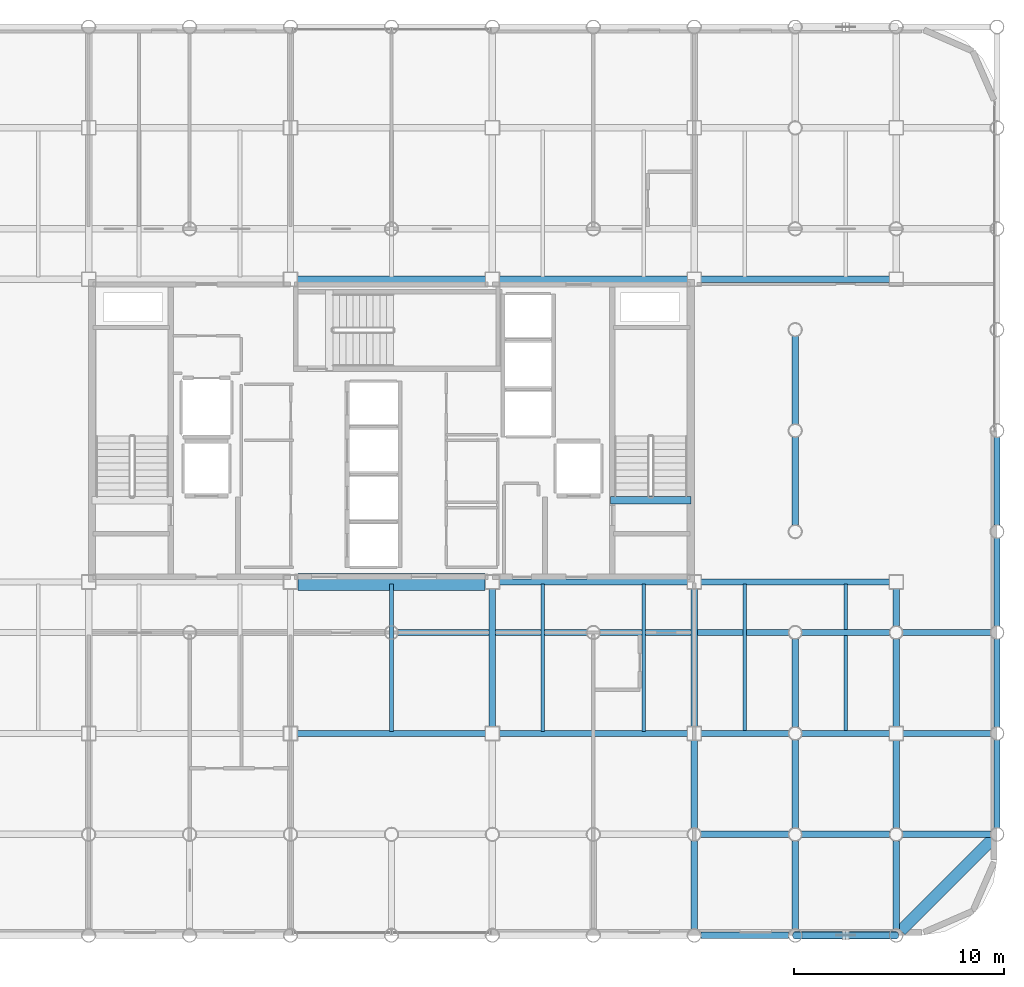
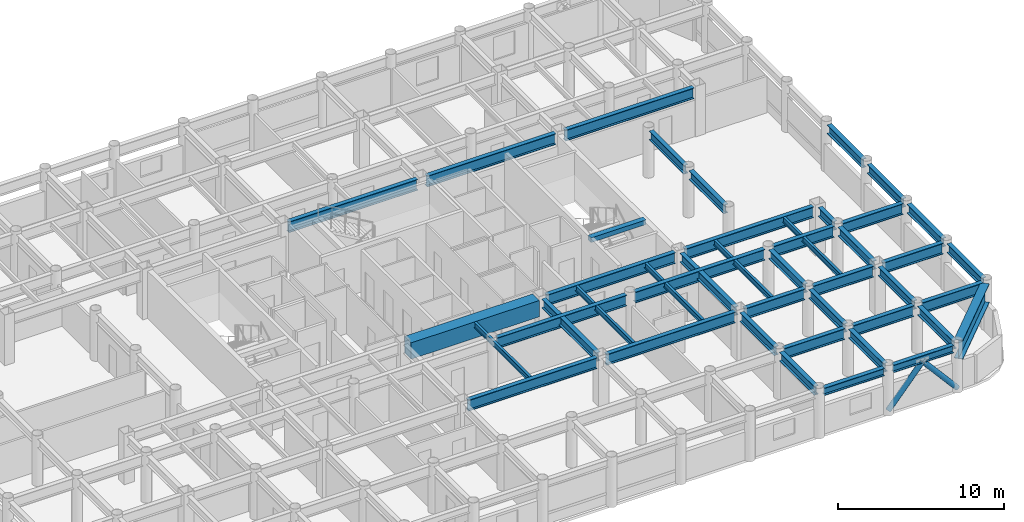
# One storey, part 7 of 20: 44 beams, 2 members.
"""IFC4 building model written with IfcOpenShell, lengths in metres."""

from ifc_helpers import new_model, si_unit, direction, frame, origin, origin_2d, place, context, subcontext, project, spatial, rectangle, hollow_circle, i_section, extrude, material, material_profile, profile_set, type_object, element, save


model = new_model("IFC4")

# Units and contexts
model_context = context("Model", 3, precision=1e-05, world=origin(), true_north=direction((0.0, 1.0)))
body_context = subcontext(model_context, "Body", "Model", "MODEL_VIEW")
ifc_project = project(units=[si_unit("LENGTHUNIT", "METRE"), si_unit("AREAUNIT", "SQUARE_METRE"), si_unit("VOLUMEUNIT", "CUBIC_METRE"), si_unit("PLANEANGLEUNIT", "RADIAN"), si_unit("MASSUNIT", "GRAM", prefix="KILO")], contexts=[model_context])

# Site, building, storey
site_placement = place(None, origin())
site = spatial("IfcSite", under=ifc_project, at=site_placement, CompositionType="ELEMENT")
building_placement = place(site_placement, origin())
building = spatial("IfcBuilding", under=site, at=building_placement, Name="Kallvorn Hotel Tower", CompositionType="ELEMENT")
storey_placement = place(building_placement, frame((0.0, 0.0, 176.60009765625)))
storey = spatial("IfcBuildingStorey", under=building, at=storey_placement, Name="L44", CompositionType="ELEMENT", Elevation=176.60009765625)

# Beams
ifc_material_1 = material(Name="Structural steel S355JR", Category="steel")
ifc_material_profile_1 = material_profile(ifc_material_1, i_section(OverallWidth=0.300048828125, OverallDepth=0.550048828125, WebThickness=0.014892578125, FlangeThickness=0.029052734375, at=origin_2d()), Name="HE 550 B")
ifc_profile_set_1 = profile_set([ifc_material_profile_1], Name="Structural steel S355JR")
beam_type_1 = type_object("IfcBeamType", Name="BM_HE550B", PredefinedType="SPANDREL", material=ifc_profile_set_1)
for number, where, z_axis, x_axis, name in (
    (1, (14.719970703125, -24.0, 3.204833984375), (1.0, 0.0, 0.0), (0.0, 1.0, 0.0), "L45 Perimeter Spandrel 160"),
    (2, (19.52001953125, -24.0, 3.204833984375), (1.0, 0.0, 0.0), (0.0, 1.0, 0.0), "L45 Perimeter Spandrel 161"),
):
    element("IfcBeam", number, at=place(storey_placement, frame(where, z_axis=z_axis, x_axis=x_axis)), inside=storey, type_object=beam_type_1, Name=name, PredefinedType="SPANDREL", context=body_context, shape_type="SweptSolid", body=[
        extrude(i_section(OverallWidth=0.300048828125, OverallDepth=0.550048828125, WebThickness=0.014892578125, FlangeThickness=0.029052734375, at=origin_2d()), origin(), (0.0, 0.0, 1.0), 4.159912109375),
    ])
ifc_material_2 = material(Name="Structural steel S355JR", Category="steel")
ifc_material_profile_2 = material_profile(ifc_material_2, i_section(OverallWidth=0.300048828125, OverallDepth=0.64990234375, WebThickness=0.01611328125, FlangeThickness=0.031005859375, at=origin_2d()), Name="HE 650 B")
ifc_profile_set_2 = profile_set([ifc_material_profile_2], Name="Structural steel S355JR")
beam_type_2 = type_object("IfcBeamType", Name="BM_HE650B", PredefinedType="BEAM", material=ifc_profile_set_2)
beam_1_placement = place(storey_placement, frame((4.800048828125, -14.074951171875, 3.15478515625), z_axis=(0.0, 1.0, 0.0), x_axis=(-1.0, 0.0, 0.0)))
element("IfcBeam", 3, at=beam_1_placement, inside=storey, type_object=beam_type_2, Name="L45 Primary Y-Girder 116", PredefinedType="BEAM", context=body_context, shape_type="SweptSolid", body=[
    extrude(i_section(OverallWidth=0.300048828125, OverallDepth=0.64990234375, WebThickness=0.01611328125, FlangeThickness=0.031005859375, at=origin_2d()), origin(), (0.0, 0.0, 1.0), 6.550048828125),
])
beam_2_placement = place(storey_placement, frame((14.39990234375, -23.695068359375, 3.15478515625), z_axis=(0.0, 1.0, 0.0), x_axis=(-1.0, 0.0, 0.0)))
element("IfcBeam", 4, at=beam_2_placement, inside=storey, type_object=beam_type_2, Name="L45 Primary Y-Girder 122", PredefinedType="BEAM", context=body_context, shape_type="SweptSolid", body=[
    extrude(i_section(OverallWidth=0.300048828125, OverallDepth=0.64990234375, WebThickness=0.01611328125, FlangeThickness=0.031005859375, at=origin_2d()), origin(), (0.0, 0.0, 1.0), 4.190185546875),
])
beam_3_placement = place(storey_placement, frame((14.39990234375, -18.89501953125, 3.15478515625), z_axis=(0.0, 1.0, 0.0), x_axis=(-1.0, 0.0, 0.0)))
element("IfcBeam", 5, at=beam_3_placement, inside=storey, type_object=beam_type_2, Name="L45 Primary Y-Girder 123", PredefinedType="BEAM", context=body_context, shape_type="SweptSolid", body=[
    extrude(i_section(OverallWidth=0.300048828125, OverallDepth=0.64990234375, WebThickness=0.01611328125, FlangeThickness=0.031005859375, at=origin_2d()), origin(), (0.0, 0.0, 1.0), 4.169921875),
])
beam_4_placement = place(storey_placement, frame((14.39990234375, -14.074951171875, 3.15478515625), z_axis=(0.0, 1.0, 0.0), x_axis=(-1.0, 0.0, 0.0)))
element("IfcBeam", 6, at=beam_4_placement, inside=storey, type_object=beam_type_2, Name="L45 Primary Y-Girder 124", PredefinedType="BEAM", context=body_context, shape_type="SweptSolid", body=[
    extrude(i_section(OverallWidth=0.300048828125, OverallDepth=0.64990234375, WebThickness=0.01611328125, FlangeThickness=0.031005859375, at=origin_2d()), origin(), (0.0, 0.0, 1.0), 6.550048828125),
])
beam_5_placement = place(storey_placement, frame((19.199951171875, -23.695068359375, 3.15478515625), z_axis=(0.0, 1.0, 0.0), x_axis=(-1.0, 0.0, 0.0)))
element("IfcBeam", 7, at=beam_5_placement, inside=storey, type_object=beam_type_2, Name="L45 Primary Y-Girder 127", PredefinedType="BEAM", context=body_context, shape_type="SweptSolid", body=[
    extrude(i_section(OverallWidth=0.300048828125, OverallDepth=0.64990234375, WebThickness=0.01611328125, FlangeThickness=0.031005859375, at=origin_2d()), origin(), (0.0, 0.0, 1.0), 4.190185546875),
])
for number, where, z_axis, x_axis, name in (
    (8, (19.199951171875, -18.89501953125, 3.15478515625), (0.0, 1.0, 0.0), (-1.0, 0.0, 0.0), "L45 Primary Y-Girder 128"),
    (9, (19.199951171875, -14.094970703125, 3.15478515625), (0.0, 1.0, 0.0), (-1.0, 0.0, 0.0), "L45 Primary Y-Girder 129"),
):
    element("IfcBeam", number, at=place(storey_placement, frame(where, z_axis=z_axis, x_axis=x_axis)), inside=storey, type_object=beam_type_2, Name=name, PredefinedType="BEAM", context=body_context, shape_type="SweptSolid", body=[
        extrude(i_section(OverallWidth=0.300048828125, OverallDepth=0.64990234375, WebThickness=0.01611328125, FlangeThickness=0.031005859375, at=origin_2d()), origin(), (0.0, 0.0, 1.0), 4.18994140625),
    ])
for number, where, z_axis, x_axis, name in (
    (10, (19.199951171875, -4.4951171875, 3.15478515625), (0.0, 1.0, 0.0), (-1.0, 0.0, 0.0), "L45 Primary Y-Girder 131"),
    (11, (19.199951171875, 0.304931640625, 3.15478515625), (0.0, 1.0, 0.0), (-1.0, 0.0, 0.0), "L45 Primary Y-Girder 132"),
    (12, (24.0, -23.695068359375, 3.15478515625), (0.0, 1.0, 0.0), (-1.0, 0.0, 0.0), "L45 Primary Y-Girder 136"),
):
    element("IfcBeam", number, at=place(storey_placement, frame(where, z_axis=z_axis, x_axis=x_axis)), inside=storey, type_object=beam_type_2, Name=name, PredefinedType="BEAM", context=body_context, shape_type="SweptSolid", body=[
        extrude(i_section(OverallWidth=0.300048828125, OverallDepth=0.64990234375, WebThickness=0.01611328125, FlangeThickness=0.031005859375, at=origin_2d()), origin(), (0.0, 0.0, 1.0), 4.190185546875),
    ])
for number, where, z_axis, x_axis, name in (
    (13, (24.0, -18.89501953125, 3.15478515625), (0.0, 1.0, 0.0), (-1.0, 0.0, 0.0), "L45 Primary Y-Girder 137"),
    (14, (24.0, -14.074951171875, 3.15478515625), (0.0, 1.0, 0.0), (-1.0, 0.0, 0.0), "L45 Primary Y-Girder 138"),
):
    element("IfcBeam", number, at=place(storey_placement, frame(where, z_axis=z_axis, x_axis=x_axis)), inside=storey, type_object=beam_type_2, Name=name, PredefinedType="BEAM", context=body_context, shape_type="SweptSolid", body=[
        extrude(i_section(OverallWidth=0.300048828125, OverallDepth=0.64990234375, WebThickness=0.01611328125, FlangeThickness=0.031005859375, at=origin_2d()), origin(), (0.0, 0.0, 1.0), 4.169921875),
    ])
beam_6_placement = place(storey_placement, frame((24.0, -9.294921875, 3.15478515625), z_axis=(0.0, 1.0, 0.0), x_axis=(-1.0, 0.0, 0.0)))
element("IfcBeam", 15, at=beam_6_placement, inside=storey, type_object=beam_type_2, Name="L45 Primary Y-Girder 139", PredefinedType="BEAM", context=body_context, shape_type="SweptSolid", body=[
    extrude(i_section(OverallWidth=0.300048828125, OverallDepth=0.64990234375, WebThickness=0.01611328125, FlangeThickness=0.031005859375, at=origin_2d()), origin(), (0.0, 0.0, 1.0), 1.77001953125),
])
for number, where, z_axis, x_axis, name in (
    (16, (28.800048828125, -18.89501953125, 3.15478515625), (0.0, 1.0, 0.0), (-1.0, 0.0, 0.0), "L45 Primary Y-Girder 143"),
    (17, (28.800048828125, -14.094970703125, 3.15478515625), (0.0, 1.0, 0.0), (-1.0, 0.0, 0.0), "L45 Primary Y-Girder 144"),
    (18, (28.800048828125, -9.294921875, 3.15478515625), (0.0, 1.0, 0.0), (-1.0, 0.0, 0.0), "L45 Primary Y-Girder 145"),
):
    element("IfcBeam", number, at=place(storey_placement, frame(where, z_axis=z_axis, x_axis=x_axis)), inside=storey, type_object=beam_type_2, Name=name, PredefinedType="BEAM", context=body_context, shape_type="SweptSolid", body=[
        extrude(i_section(OverallWidth=0.300048828125, OverallDepth=0.64990234375, WebThickness=0.01611328125, FlangeThickness=0.031005859375, at=origin_2d()), origin(), (0.0, 0.0, 1.0), 4.18994140625),
    ])
beam_7_placement = place(storey_placement, frame((28.800048828125, -4.4951171875, 3.15478515625), z_axis=(0.0, 1.0, 0.0), x_axis=(-1.0, 0.0, 0.0)))
element("IfcBeam", 19, at=beam_7_placement, inside=storey, type_object=beam_type_2, Name="L45 Primary Y-Girder 146", PredefinedType="BEAM", context=body_context, shape_type="SweptSolid", body=[
    extrude(i_section(OverallWidth=0.300048828125, OverallDepth=0.64990234375, WebThickness=0.01611328125, FlangeThickness=0.031005859375, at=origin_2d()), origin(), (0.0, 0.0, 1.0), 4.190185546875),
])
ifc_material_3 = material(Name="Structural steel S355JR", Category="steel")
ifc_material_profile_3 = material_profile(ifc_material_3, i_section(OverallWidth=0.300048828125, OverallDepth=0.800048828125, WebThickness=0.017578125, FlangeThickness=0.032958984375, at=origin_2d()), Name="HE 800 B")
ifc_profile_set_3 = profile_set([ifc_material_profile_3], Name="Structural steel S355JR")
beam_type_3 = type_object("IfcBeamType", Name="BM_HE800B", PredefinedType="BEAM", material=ifc_profile_set_3)
beam_8_placement = place(storey_placement, frame((14.705078125, -19.199951171875, 3.079833984375), z_axis=(1.0, 0.0, 0.0), x_axis=(0.0, 1.0, 0.0)))
element("IfcBeam", 20, at=beam_8_placement, inside=storey, type_object=beam_type_3, Name="L45 Primary X-Girder 11", PredefinedType="BEAM", context=body_context, shape_type="SweptSolid", body=[
    extrude(i_section(OverallWidth=0.300048828125, OverallDepth=0.800048828125, WebThickness=0.017578125, FlangeThickness=0.032958984375, at=origin_2d()), origin(), (0.0, 0.0, 1.0), 4.18994140625),
])
for number, where, z_axis, x_axis, name in (
    (21, (19.5048828125, -19.199951171875, 3.079833984375), (1.0, 0.0, 0.0), (0.0, 1.0, 0.0), "L45 Primary X-Girder 12"),
    (22, (24.304931640625, -19.199951171875, 3.079833984375), (1.0, 0.0, 0.0), (0.0, 1.0, 0.0), "L45 Primary X-Girder 13"),
):
    element("IfcBeam", number, at=place(storey_placement, frame(where, z_axis=z_axis, x_axis=x_axis)), inside=storey, type_object=beam_type_3, Name=name, PredefinedType="BEAM", context=body_context, shape_type="SweptSolid", body=[
        extrude(i_section(OverallWidth=0.300048828125, OverallDepth=0.800048828125, WebThickness=0.017578125, FlangeThickness=0.032958984375, at=origin_2d()), origin(), (0.0, 0.0, 1.0), 4.190185546875),
    ])
beam_9_placement = place(storey_placement, frame((-4.47509765625, -14.39990234375, 3.079833984375), z_axis=(1.0, 0.0, 0.0), x_axis=(0.0, 1.0, 0.0)))
element("IfcBeam", 23, at=beam_9_placement, inside=storey, type_object=beam_type_3, Name="L45 Primary X-Girder 19", PredefinedType="BEAM", context=body_context, shape_type="SweptSolid", body=[
    extrude(i_section(OverallWidth=0.300048828125, OverallDepth=0.800048828125, WebThickness=0.017578125, FlangeThickness=0.032958984375, at=origin_2d()), origin(), (0.0, 0.0, 1.0), 8.9501953125),
])
beam_10_placement = place(storey_placement, frame((5.125, -14.39990234375, 3.079833984375), z_axis=(1.0, 0.0, 0.0), x_axis=(0.0, 1.0, 0.0)))
element("IfcBeam", 24, at=beam_10_placement, inside=storey, type_object=beam_type_3, Name="L45 Primary X-Girder 20", PredefinedType="BEAM", context=body_context, shape_type="SweptSolid", body=[
    extrude(i_section(OverallWidth=0.300048828125, OverallDepth=0.800048828125, WebThickness=0.017578125, FlangeThickness=0.032958984375, at=origin_2d()), origin(), (0.0, 0.0, 1.0), 8.949951171875),
])
beam_11_placement = place(storey_placement, frame((14.72509765625, -14.39990234375, 3.079833984375), z_axis=(1.0, 0.0, 0.0), x_axis=(0.0, 1.0, 0.0)))
element("IfcBeam", 25, at=beam_11_placement, inside=storey, type_object=beam_type_3, Name="L45 Primary X-Girder 21", PredefinedType="BEAM", context=body_context, shape_type="SweptSolid", body=[
    extrude(i_section(OverallWidth=0.300048828125, OverallDepth=0.800048828125, WebThickness=0.017578125, FlangeThickness=0.032958984375, at=origin_2d()), origin(), (0.0, 0.0, 1.0), 4.169921875),
])
for number, where, z_axis, x_axis, name in (
    (26, (19.5048828125, -14.39990234375, 3.079833984375), (1.0, 0.0, 0.0), (0.0, 1.0, 0.0), "L45 Primary X-Girder 22"),
    (27, (24.324951171875, -14.39990234375, 3.079833984375), (1.0, 0.0, 0.0), (0.0, 1.0, 0.0), "L45 Primary X-Girder 23"),
):
    element("IfcBeam", number, at=place(storey_placement, frame(where, z_axis=z_axis, x_axis=x_axis)), inside=storey, type_object=beam_type_3, Name=name, PredefinedType="BEAM", context=body_context, shape_type="SweptSolid", body=[
        extrude(i_section(OverallWidth=0.300048828125, OverallDepth=0.800048828125, WebThickness=0.017578125, FlangeThickness=0.032958984375, at=origin_2d()), origin(), (0.0, 0.0, 1.0), 4.170166015625),
    ])
for number, where, z_axis, x_axis, name in (
    (28, (0.304931640625, -9.60009765625, 3.079833984375), (1.0, 0.0, 0.0), (0.0, 1.0, 0.0), "L45 Primary X-Girder 29"),
    (29, (9.905029296875, -9.60009765625, 3.079833984375), (1.0, 0.0, 0.0), (0.0, 1.0, 0.0), "L45 Primary X-Girder 30"),
):
    element("IfcBeam", number, at=place(storey_placement, frame(where, z_axis=z_axis, x_axis=x_axis)), inside=storey, type_object=beam_type_3, Name=name, PredefinedType="BEAM", context=body_context, shape_type="SweptSolid", body=[
        extrude(i_section(OverallWidth=0.300048828125, OverallDepth=0.800048828125, WebThickness=0.017578125, FlangeThickness=0.032958984375, at=origin_2d()), origin(), (0.0, 0.0, 1.0), 8.989990234375),
    ])
for number, where, z_axis, x_axis, name in (
    (30, (19.5048828125, -9.60009765625, 3.079833984375), (1.0, 0.0, 0.0), (0.0, 1.0, 0.0), "L45 Primary X-Girder 31"),
    (31, (24.304931640625, -9.60009765625, 3.079833984375), (1.0, 0.0, 0.0), (0.0, 1.0, 0.0), "L45 Primary X-Girder 32"),
):
    element("IfcBeam", number, at=place(storey_placement, frame(where, z_axis=z_axis, x_axis=x_axis)), inside=storey, type_object=beam_type_3, Name=name, PredefinedType="BEAM", context=body_context, shape_type="SweptSolid", body=[
        extrude(i_section(OverallWidth=0.300048828125, OverallDepth=0.800048828125, WebThickness=0.017578125, FlangeThickness=0.032958984375, at=origin_2d()), origin(), (0.0, 0.0, 1.0), 4.190185546875),
    ])
for number, where, z_axis, x_axis, name in (
    (32, (5.125, -7.199951171875, 3.079833984375), (1.0, 0.0, 0.0), (0.0, 1.0, 0.0), "L45 Primary X-Girder 35"),
    (33, (14.72509765625, -7.199951171875, 3.079833984375), (1.0, 0.0, 0.0), (0.0, 1.0, 0.0), "L45 Primary X-Girder 36"),
):
    element("IfcBeam", number, at=place(storey_placement, frame(where, z_axis=z_axis, x_axis=x_axis)), inside=storey, type_object=beam_type_3, Name=name, PredefinedType="BEAM", context=body_context, shape_type="SweptSolid", body=[
        extrude(i_section(OverallWidth=0.300048828125, OverallDepth=0.800048828125, WebThickness=0.017578125, FlangeThickness=0.032958984375, at=origin_2d()), origin(), (0.0, 0.0, 1.0), 8.949951171875),
    ])
beam_12_placement = place(storey_placement, frame((-4.47509765625, 7.199951171875, 3.079833984375), z_axis=(1.0, 0.0, 0.0), x_axis=(0.0, 1.0, 0.0)))
element("IfcBeam", 34, at=beam_12_placement, inside=storey, type_object=beam_type_3, Name="L45 Primary X-Girder 39", PredefinedType="BEAM", context=body_context, shape_type="SweptSolid", body=[
    extrude(i_section(OverallWidth=0.300048828125, OverallDepth=0.800048828125, WebThickness=0.017578125, FlangeThickness=0.032958984375, at=origin_2d()), origin(), (0.0, 0.0, 1.0), 8.9501953125),
])
for number, where, z_axis, x_axis, name in (
    (35, (5.125, 7.199951171875, 3.079833984375), (1.0, 0.0, 0.0), (0.0, 1.0, 0.0), "L45 Primary X-Girder 40"),
    (36, (14.72509765625, 7.199951171875, 3.079833984375), (1.0, 0.0, 0.0), (0.0, 1.0, 0.0), "L45 Primary X-Girder 41"),
):
    element("IfcBeam", number, at=place(storey_placement, frame(where, z_axis=z_axis, x_axis=x_axis)), inside=storey, type_object=beam_type_3, Name=name, PredefinedType="BEAM", context=body_context, shape_type="SweptSolid", body=[
        extrude(i_section(OverallWidth=0.300048828125, OverallDepth=0.800048828125, WebThickness=0.017578125, FlangeThickness=0.032958984375, at=origin_2d()), origin(), (0.0, 0.0, 1.0), 8.949951171875),
    ])
ifc_material_4 = material(Name="Structural steel S355JR", Category="steel")
ifc_material_profile_4 = material_profile(ifc_material_4, i_section(OverallWidth=0.179931640625, OverallDepth=0.39990234375, WebThickness=0.008544921875, FlangeThickness=0.013427734375, at=origin_2d()), Name="IPE 400")
ifc_profile_set_4 = profile_set([ifc_material_profile_4], Name="Structural steel S355JR")
beam_type_4 = type_object("IfcBeamType", Name="BM_IPE400", PredefinedType="JOIST", material=ifc_profile_set_4)
for number, where, z_axis, x_axis, name in (
    (37, (0.0, -14.300048828125, 3.27978515625), (0.0, 1.0, 0.0), (-1.0, 0.0, 0.0), "L45 Secondary Composite Joist 200"),
    (38, (7.199951171875, -14.300048828125, 3.27978515625), (0.0, 1.0, 0.0), (-1.0, 0.0, 0.0), "L45 Secondary Composite Joist 202"),
    (39, (12.0, -14.300048828125, 3.27978515625), (0.0, 1.0, 0.0), (-1.0, 0.0, 0.0), "L45 Secondary Composite Joist 204"),
    (40, (16.800048828125, -14.300048828125, 3.27978515625), (0.0, 1.0, 0.0), (-1.0, 0.0, 0.0), "L45 Secondary Composite Joist 206"),
    (41, (21.60009765625, -14.300048828125, 3.27978515625), (0.0, 1.0, 0.0), (-1.0, 0.0, 0.0), "L45 Secondary Composite Joist 208"),
):
    element("IfcBeam", number, at=place(storey_placement, frame(where, z_axis=z_axis, x_axis=x_axis)), inside=storey, type_object=beam_type_4, Name=name, PredefinedType="JOIST", context=body_context, shape_type="SweptSolid", body=[
        extrude(i_section(OverallWidth=0.179931640625, OverallDepth=0.39990234375, WebThickness=0.008544921875, FlangeThickness=0.013427734375, at=origin_2d()), origin(), (0.0, 0.0, 1.0), 7.0),
    ])
ifc_material_5 = material(Name="Structural steel S355JR", Category="steel")
ifc_material_profile_5 = material_profile(ifc_material_5, i_section(OverallWidth=0.550048828125, OverallDepth=1.39990234375, WebThickness=0.02490234375, FlangeThickness=0.044921875, at=origin_2d()), Name="PG 1400x550x25x45")
ifc_profile_set_5 = profile_set([ifc_material_profile_5], Name="Structural steel S355JR")
beam_type_5 = type_object("IfcBeamType", Name="BM_PG_1400", PredefinedType="BEAM", material=ifc_profile_set_5)
beam_13_placement = place(storey_placement, frame((28.57373046875, -19.42626953125, 2.77978515625), z_axis=(-0.707106781187, -0.707106781187, 0.0), x_axis=(0.707106781187, -0.707106781187, 0.0)))
element("IfcBeam", 42, at=beam_13_placement, inside=storey, type_object=beam_type_5, Name="L45 Rounded Corner Tie Beam 191", PredefinedType="BEAM", context=body_context, shape_type="SweptSolid", body=[
    extrude(i_section(OverallWidth=0.550048828125, OverallDepth=1.39990234375, WebThickness=0.02490234375, FlangeThickness=0.044921875, at=origin_2d()), origin(), (0.0, 0.0, 1.0), 6.148193359375),
])
ifc_material_6 = material(Name="Concrete C50/60", Category="concrete")
ifc_material_profile_6 = material_profile(ifc_material_6, rectangle(XDim=0.360107421875, YDim=0.340087890625, at=origin_2d()), Name="RC 360x340")
ifc_profile_set_6 = profile_set([ifc_material_profile_6], Name="Concrete C50/60")
beam_type_6 = type_object("IfcBeamType", Name="BM_RC_400x360", PredefinedType="BEAM", material=ifc_profile_set_6)
beam_14_placement = place(storey_placement, frame((14.239990234375, -3.31005859375, 3.309814453125), z_axis=(-1.0, 0.0, 0.0), x_axis=(0.0, -1.0, 0.0)))
element("IfcBeam", 43, at=beam_14_placement, inside=storey, type_object=beam_type_6, Name="L45 Stair ST2 Arrival Trimmer Beam", PredefinedType="BEAM", context=body_context, shape_type="SweptSolid", body=[
    extrude(rectangle(XDim=0.360107421875, YDim=0.340087890625, at=origin_2d()), origin(), (0.0, 0.0, 1.0), 3.820068359375),
])
ifc_material_7 = material(Name="Concrete C50/60", Category="concrete")
ifc_material_profile_7 = material_profile(ifc_material_7, rectangle(XDim=0.800048828125, YDim=1.199951171875, at=origin_2d()), Name="RC 800x1200")
ifc_profile_set_7 = profile_set([ifc_material_profile_7], Name="Concrete C50/60")
beam_type_7 = type_object("IfcBeamType", Name="BM_RC_800x1200", PredefinedType="T_BEAM", material=ifc_profile_set_7)
beam_15_placement = place(storey_placement, frame((-4.449951171875, -7.199951171875, 2.8798828125), z_axis=(1.0, 0.0, 0.0), x_axis=(0.0, 1.0, 0.0)))
element("IfcBeam", 44, at=beam_15_placement, inside=storey, type_object=beam_type_7, Name="L44 Core Coupling Beam South", PredefinedType="T_BEAM", context=body_context, shape_type="SweptSolid", body=[
    extrude(rectangle(XDim=0.800048828125, YDim=1.199951171875, at=origin_2d()), origin(), (0.0, 0.0, 1.0), 8.89990234375),
])

# Members
ifc_material_8 = material(Name="Structural steel S355J2H", Category="steel")
ifc_material_profile_8 = material_profile(ifc_material_8, hollow_circle(Radius=0.177734375, WallThickness=0.01416015625, at=origin_2d()), Name="CHS 355.6x14.2")
ifc_profile_set_8 = profile_set([ifc_material_profile_8], Name="Structural steel S355J2H")
member_type = type_object("IfcMemberType", Name="MBR_EXO_CHS355", PredefinedType="BRACE", material=ifc_profile_set_8)
for number, where, z_axis, x_axis, name in (
    (45, (19.212890625, -24.0, 0.195068359375), (0.65217111297, 0.0, 0.758071790405), (0.0, 1.0, 0.0), "L44 Exoskeleton K-Brace S2A"),
    (46, (23.987060546875, -24.0, 0.195068359375), (-0.65217111297, 0.0, 0.758071790405), (0.0, -1.0, 0.0), "L44 Exoskeleton K-Brace S2B"),
):
    element("IfcMember", number, at=place(storey_placement, frame(where, z_axis=z_axis, x_axis=x_axis)), inside=storey, type_object=member_type, Name=name, PredefinedType="BRACE", context=body_context, shape_type="SweptSolid", body=[
        extrude(hollow_circle(Radius=0.177734375, WallThickness=0.01416015625, at=origin_2d()), origin(), (0.0, 0.0, 1.0), 3.64013671875),
    ])

save(model, "model.ifc")
